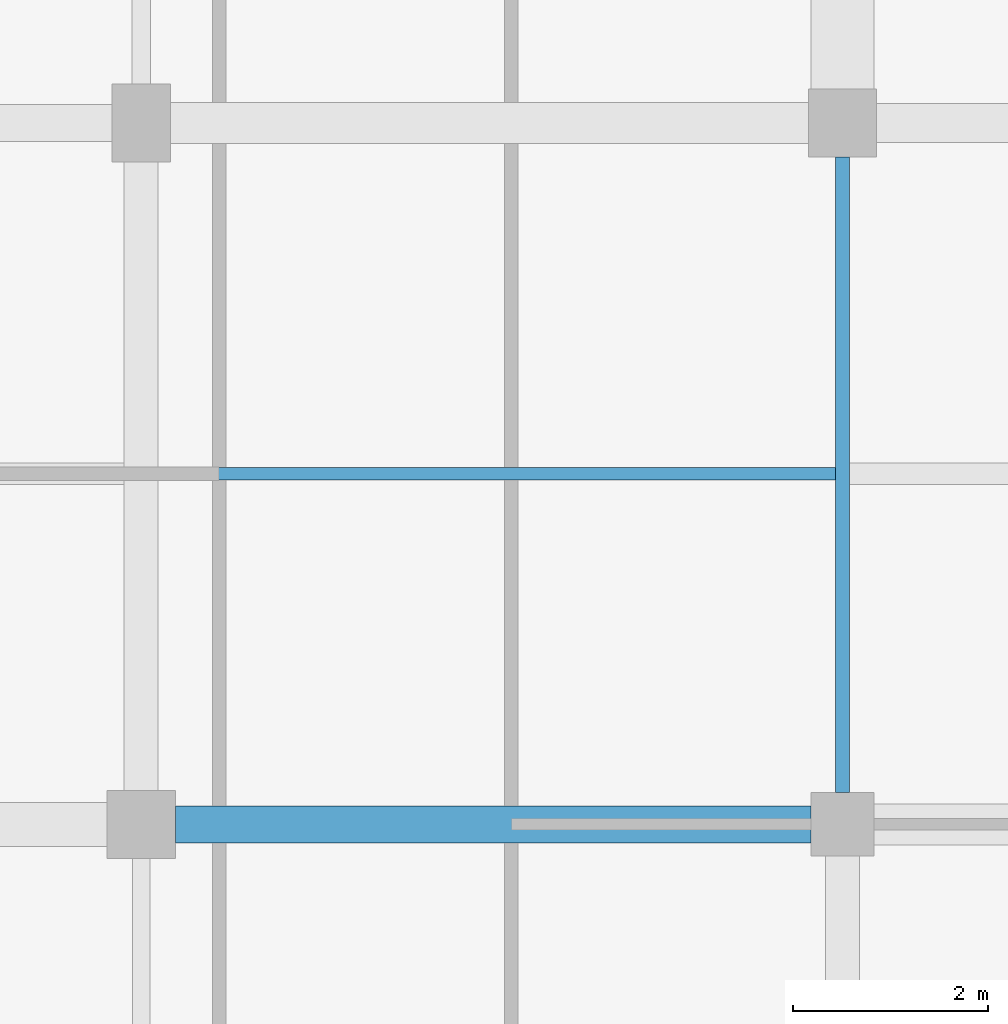
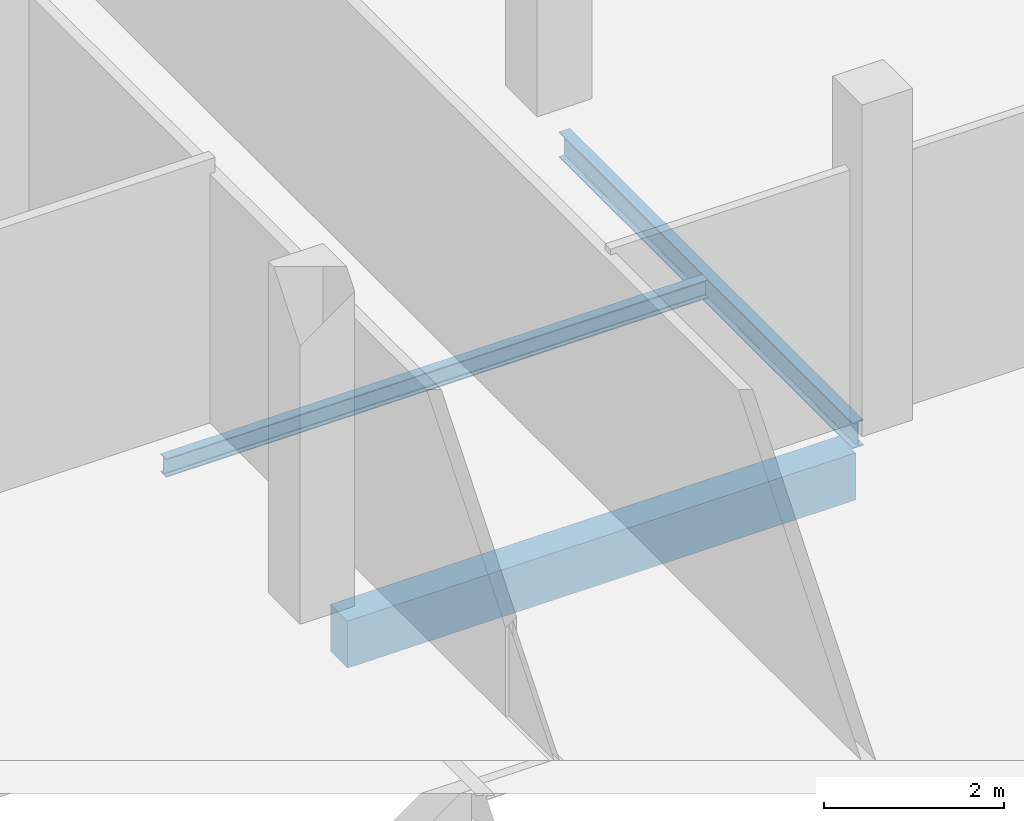
# One storey, part 55 of 116: 3 beams.
"""IFC4 building model written with IfcOpenShell, lengths in metres."""

from ifc_helpers import new_model, si_unit, direction, frame, origin, origin_2d, place, context, subcontext, project, spatial, rectangle, i_section, extrude, material, material_profile, profile_set, type_object, element, save


model = new_model("IFC4")

# Units and contexts
model_context = context("Model", 3, precision=1e-05, world=origin(), true_north=direction((0.0, 1.0)))
body_context = subcontext(model_context, "Body", "Model", "MODEL_VIEW")
ifc_project = project(units=[si_unit("LENGTHUNIT", "METRE"), si_unit("AREAUNIT", "SQUARE_METRE"), si_unit("VOLUMEUNIT", "CUBIC_METRE"), si_unit("PLANEANGLEUNIT", "RADIAN"), si_unit("MASSUNIT", "GRAM", prefix="KILO")], contexts=[model_context])

# Site, building, storey
site_placement = place(None, origin())
site = spatial("IfcSite", under=ifc_project, at=site_placement, CompositionType="ELEMENT")
building_placement = place(site_placement, origin())
building = spatial("IfcBuilding", under=site, at=building_placement, Name="Kalluvel Institute of Natural Sciences", CompositionType="ELEMENT")
storey_placement = place(building_placement, frame((0.0, 0.0, 14.39990234375)))
storey = spatial("IfcBuildingStorey", under=building, at=storey_placement, Name="L03", CompositionType="ELEMENT", Elevation=14.39990234375)

# Beams
ifc_material_1 = material(Name="Steel E350 Grade 350", Category="steel")
ifc_material_profile_1 = material_profile(ifc_material_1, i_section(OverallWidth=0.139892578125, OverallDepth=0.35009765625, WebThickness=0.008056640625, FlangeThickness=0.01416015625, FilletRadius=0.013916015625, at=origin_2d()), Name="ISMB 350")
ifc_profile_set_1 = profile_set([ifc_material_profile_1], Name="Steel E350 Grade 350")
beam_type_1 = type_object("IfcBeamType", Name="BM-ISMB350", PredefinedType="BEAM", material=ifc_profile_set_1)
beam_1_placement = place(storey_placement, frame((28.39990234375, 79.125, -0.474853515625), z_axis=(0.0, 1.0, 0.0), x_axis=(-1.0, 0.0, 0.0)))
element("IfcBeam", 1, at=beam_1_placement, inside=storey, type_object=beam_type_1, Name="L03 girder GIR-L03-NS-X284-Y788", PredefinedType="BEAM", context=body_context, shape_type="SweptSolid", body=[
    extrude(i_section(OverallWidth=0.139892578125, OverallDepth=0.35009765625, WebThickness=0.008056640625, FlangeThickness=0.01416015625, FilletRadius=0.013916015625, at=origin_2d()), origin(), (0.0, 0.0, 1.0), 6.52490234375),
])
ifc_material_2 = material(Name="Concrete M40", Category="concrete")
ifc_material_profile_2 = material_profile(ifc_material_2, rectangle(XDim=0.3798828125, YDim=0.639892578125, at=origin_2d()), Name="RCB 380x640")
ifc_profile_set_2 = profile_set([ifc_material_profile_2], Name="Concrete M40")
beam_type_2 = type_object("IfcBeamType", Name="BM-RC380x640", PredefinedType="BEAM", material=ifc_profile_set_2)
beam_2_placement = place(storey_placement, frame((21.550048828125, 78.800048828125, -0.619873046875), z_axis=(1.0, 0.0, 0.0), x_axis=(0.0, 1.0, 0.0)))
element("IfcBeam", 2, at=beam_2_placement, inside=storey, type_object=beam_type_2, Name="L03 girder GIR-L03-EW-X212-Y788", PredefinedType="BEAM", context=body_context, shape_type="SweptSolid", body=[
    extrude(rectangle(XDim=0.3798828125, YDim=0.639892578125, at=origin_2d()), origin(), (0.0, 0.0, 1.0), 6.52490234375),
])
ifc_material_profile_3 = material_profile(ifc_material_1, i_section(OverallWidth=0.125, OverallDepth=0.25, WebThickness=0.0068359375, FlangeThickness=0.012451171875, FilletRadius=0.012939453125, at=origin_2d()), Name="ISMB 250")
ifc_profile_set_3 = profile_set([ifc_material_profile_3], Name="Steel E350 Grade 350")
beam_type_3 = type_object("IfcBeamType", Name="WJ-ISMB250", PredefinedType="JOIST", material=ifc_profile_set_3)
beam_3_placement = place(storey_placement, frame((21.375, 82.39990234375, -0.4248046875), z_axis=(1.0, 0.0, 0.0), x_axis=(0.0, 1.0, 0.0)))
element("IfcBeam", 3, at=beam_3_placement, inside=storey, type_object=beam_type_3, Name="L03 floor rib RIB-L03-0705", PredefinedType="JOIST", context=body_context, shape_type="SweptSolid", body=[
    extrude(i_section(OverallWidth=0.125, OverallDepth=0.25, WebThickness=0.0068359375, FlangeThickness=0.012451171875, FilletRadius=0.012939453125, at=origin_2d()), origin(), (0.0, 0.0, 1.0), 6.955078125),
])

save(model, "model.ifc")
